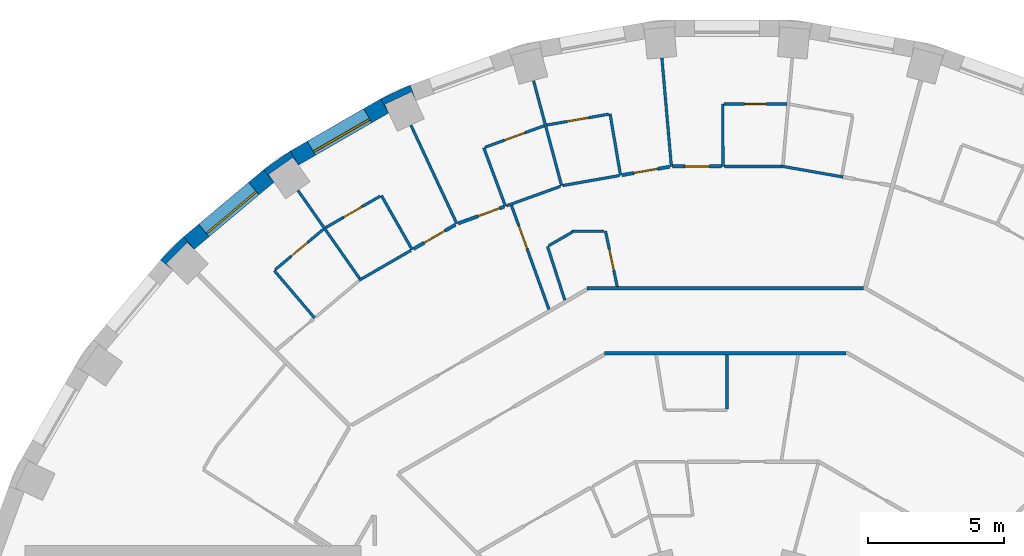
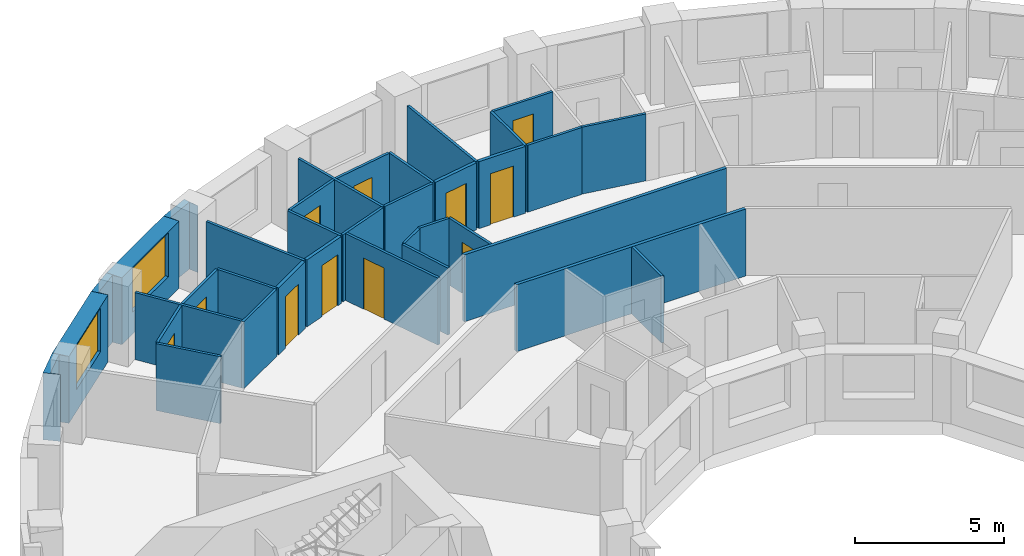
# One storey, part 12 of 17: 36 walls, 11 doors, 2 windows, 13 openings.
"""IFC4 building model written with IfcOpenShell, lengths in metres."""

from ifc_helpers import new_model, si_unit, direction, frame, frame_2d, origin, place, context, subcontext, project, spatial, polyline, rectangle, outline, extrude, material, layer, layer_set, type_object, element, fill, save


model = new_model("IFC4")

# Units and contexts
model_context = context("Model", 3, precision=1e-05, world=origin(), true_north=direction((0.0, 1.0)))
body_context = subcontext(model_context, "Body", "Model", "MODEL_VIEW")
ifc_project = project(units=[si_unit("LENGTHUNIT", "METRE"), si_unit("AREAUNIT", "SQUARE_METRE"), si_unit("VOLUMEUNIT", "CUBIC_METRE"), si_unit("PLANEANGLEUNIT", "RADIAN"), si_unit("MASSUNIT", "GRAM", prefix="KILO")], contexts=[model_context])

# Site, building, storey
site_placement = place(None, origin())
site = spatial("IfcSite", under=ifc_project, at=site_placement, CompositionType="ELEMENT")
building_placement = place(site_placement, origin())
building = spatial("IfcBuilding", under=site, at=building_placement, Name="Saqina Gate Tower", CompositionType="ELEMENT")
storey_placement = place(building_placement, frame((0.0, 0.0, 29.60009765625)))
storey = spatial("IfcBuildingStorey", under=building, at=storey_placement, Name="L07", CompositionType="ELEMENT", Elevation=29.60009765625)

# Walls
ifc_material_1 = material(Name="Brick masonry (red)", Category="masonry")
wall_type_1 = type_object("IfcWallType", Name="BRICK PIER COPING RED", PredefinedType="SOLIDWALL", material=ifc_material_1)
wall_1_placement = place(storey_placement, origin())
element("IfcWall", 1, at=wall_1_placement, inside=storey, type_object=wall_type_1, Name="Pier cap L07 column 12", PredefinedType="SOLIDWALL", context=body_context, shape_type="SweptSolid", body=[
    extrude(outline(polyline([(-12.779541015625, 25.980712890625), (-12.4794921875, 25.4609375), (-12.627685546875, 25.778564453125), (-11.630615234375, 26.243408203125), (-11.482666015625, 25.92578125), (-11.687744140625, 26.48974609375), (-12.779541015625, 25.980712890625)])), origin(), (0.0, 0.0, 1.0), 2.75),
])
wall_2_placement = place(storey_placement, origin())
element("IfcWall", 2, at=wall_2_placement, inside=storey, type_object=wall_type_1, Name="Pier cap L07 column 13", PredefinedType="SOLIDWALL", context=body_context, shape_type="SweptSolid", body=[
    extrude(outline(polyline([(-16.110107421875, 24.0576171875), (-17.096923828125, 23.36669921875), (-16.711181640625, 22.9072265625), (-16.912109375, 23.194091796875), (-16.010986328125, 23.8251953125), (-15.81005859375, 23.5380859375), (-16.110107421875, 24.0576171875)])), origin(), (0.0, 0.0, 1.0), 2.75),
])
wall_3_placement = place(storey_placement, origin())
element("IfcWall", 3, at=wall_3_placement, inside=storey, type_object=wall_type_1, Name="Pier cap L07 column 14", PredefinedType="SOLIDWALL", context=body_context, shape_type="SweptSolid", body=[
    extrude(outline(polyline([(-20.894775390625, 20.04296875), (-20.43505859375, 19.6572265625), (-20.682861328125, 19.905029296875), (-19.905029296875, 20.682861328125), (-19.6572265625, 20.43505859375), (-20.04296875, 20.894775390625), (-20.894775390625, 20.04296875)])), origin(), (0.0, 0.0, 1.0), 2.75),
])

# Wall, opening, window
ifc_material_2 = material(Name="Brick masonry (red)", Category="masonry")
ifc_layer_1 = layer(ifc_material_2, 0.60009765625)
ifc_layer_set_1 = layer_set([ifc_layer_1], Name="FW-BRICK-RED")
wall_type_2 = type_object("IfcWallType", Name="FW-BRICK-RED", PredefinedType="SOLIDWALL", material=ifc_layer_set_1)
wall_4_placement = place(storey_placement, frame((-12.629638671875, 25.720703125, 0.0), z_axis=(0.0, 0.0, 1.0), x_axis=(-0.86603124159, -0.499989888488, 0.0)))
wall_4 = element("IfcWall", 4, at=wall_4_placement, inside=storey, type_object=wall_type_2, Name="Facade wall L07 facet 12", PredefinedType="SOLIDWALL", context=body_context, shape_type="SweptSolid", body=[
    extrude(rectangle(XDim=3.845703125, YDim=0.60009765625, at=frame_2d((1.9228515625, 0.0))), origin(), (0.0, 0.0, 1.0), 2.75),
])
opening_1_placement = place(wall_4_placement, frame((0.722900390625, 0.0, 0.89990234375)))
opening_1 = element("IfcOpeningElement", 5, at=opening_1_placement, cuts=wall_4, Name="Opening G01-W10", PredefinedType="OPENING", context=body_context, shape_type="SweptSolid", body=[
    extrude(rectangle(XDim=2.39990234375, YDim=1.800048828125, at=frame_2d((1.199951171875, 0.89990234375))), frame((0.0, 0.31201171875, 0.0), z_axis=(0.0, -1.0, 0.0), x_axis=(1.0, 0.0, 0.0)), (0.0, 0.0, 1.0), 0.6240234375),
])
ifc_material_3 = material(Name="Aluminium glazing", Category="aluminium")
window_type = type_object("IfcWindowType", Name="WN-A", PartitioningType="SINGLE_PANEL", PredefinedType="WINDOW", material=ifc_material_3)
window_1_placement = place(opening_1_placement, origin())
window_1 = element("IfcWindow", 6, at=window_1_placement, inside=storey, type_object=window_type, Name="Window L07 facet 12", OverallHeight=1.800048828125, OverallWidth=2.39990234375, PartitioningType="SINGLE_PANEL", PredefinedType="WINDOW", context=body_context, shape_type="SweptSolid", body=[
    extrude(rectangle(XDim=2.39990234375, YDim=1.800048828125, at=frame_2d((1.199951171875, 0.89990234375))), frame((0.0, 0.179931640625, 0.0), z_axis=(0.0, -1.0, 0.0), x_axis=(1.0, 0.0, 0.0)), (0.0, 0.0, 1.0), 0.06005859375),
])
fill(opening_1, window_1)

wall_5_placement = place(storey_placement, frame((-16.904052734375, 23.136962890625, 0.0), z_axis=(0.0, 0.0, 1.0), x_axis=(-0.766026164483, -0.642809392687, 0.0)))
wall_5 = element("IfcWall", 7, at=wall_5_placement, inside=storey, type_object=wall_type_2, Name="Facade wall L07 facet 13", PredefinedType="SOLIDWALL", context=body_context, shape_type="SweptSolid", body=[
    extrude(rectangle(XDim=3.845947265625, YDim=0.60009765625, at=frame_2d((1.9228515625, 0.0))), origin(), (0.0, 0.0, 1.0), 2.75),
])
opening_2_placement = place(wall_5_placement, frame((0.722900390625, 0.0, 0.89990234375)))
opening_2 = element("IfcOpeningElement", 8, at=opening_2_placement, cuts=wall_5, Name="Opening G01-W11", PredefinedType="OPENING", context=body_context, shape_type="SweptSolid", body=[
    extrude(rectangle(XDim=2.39990234375, YDim=1.800048828125, at=frame_2d((1.199951171875, 0.89990234375))), frame((0.0, 0.31201171875, 0.0), z_axis=(0.0, -1.0, 0.0), x_axis=(1.0, 0.0, 0.0)), (0.0, 0.0, 1.0), 0.6240234375),
])
window_2_placement = place(opening_2_placement, origin())
window_2 = element("IfcWindow", 9, at=window_2_placement, inside=storey, type_object=window_type, Name="Window L07 facet 13", OverallHeight=1.800048828125, OverallWidth=2.39990234375, PartitioningType="SINGLE_PANEL", PredefinedType="WINDOW", context=body_context, shape_type="SweptSolid", body=[
    extrude(rectangle(XDim=2.39990234375, YDim=1.800048828125, at=frame_2d((1.199951171875, 0.89990234375))), frame((0.0, 0.179931640625, 0.0), z_axis=(0.0, -1.0, 0.0), x_axis=(1.0, 0.0, 0.0)), (0.0, 0.0, 1.0), 0.06005859375),
])
fill(opening_2, window_2)

# Walls
ifc_material_4 = material(Name="Gypsum board on steel studs, 100 mm", Category="steel")
ifc_layer_2 = layer(ifc_material_4, 0.10009765625)
ifc_layer_set_2 = layer_set([ifc_layer_2], Name="PARTITION 100")
wall_type_3 = type_object("IfcWallType", Name="PARTITION 100", PredefinedType="PARTITIONING", material=ifc_layer_set_2)
wall_6_placement = place(storey_placement, frame((-0.1650390625, 25.7900390625, 0.0), z_axis=(0.0, 0.0, 1.0), x_axis=(0.006580899844, -0.999978345644, 0.0)))
element("IfcWall", 10, at=wall_6_placement, inside=storey, type_object=wall_type_3, Name="PARTITION PW3-01", PredefinedType="PARTITIONING", context=body_context, shape_type="SweptSolid", body=[
    extrude(rectangle(XDim=2.300048828125, YDim=0.10009765625, at=frame_2d((1.14990234375, 0.0))), origin(), (0.0, 0.0, 1.0), 2.75),
])
wall_7_placement = place(storey_placement, frame((-2.404541015625, 27.485107421875, 0.0), z_axis=(0.0, 0.0, 1.0), x_axis=(0.087176012461, -0.996192924514, 0.0)))
element("IfcWall", 11, at=wall_7_placement, inside=storey, type_object=wall_type_3, Name="PARTITION PW3-03", PredefinedType="PARTITIONING", context=body_context, shape_type="SweptSolid", body=[
    extrude(rectangle(XDim=4.010498046875, YDim=0.10009765625, at=frame_2d((2.00537109375, 0.0))), origin(), (0.0, 0.0, 1.0), 2.75),
])
wall_8_placement = place(storey_placement, frame((-4.31591796875, 25.426025390625, 0.0), z_axis=(0.0, 0.0, 1.0), x_axis=(0.167445855502, -0.985881273519, 0.0)))
element("IfcWall", 12, at=wall_8_placement, inside=storey, type_object=wall_type_3, Name="PARTITION PW3-09", PredefinedType="PARTITIONING", context=body_context, shape_type="SweptSolid", body=[
    extrude(rectangle(XDim=2.29931640625, YDim=0.10009765625, at=frame_2d((1.149658203125, 0.0))), origin(), (0.0, 0.0, 1.0), 2.75),
])

# Wall, opening, door
wall_9_placement = place(storey_placement, frame((-4.485107421875, 21.10009765625, 0.0), z_axis=(0.0, 0.0, 1.0), x_axis=(0.207769107872, -0.978177896813, 0.0)))
wall_9 = element("IfcWall", 13, at=wall_9_placement, inside=storey, type_object=wall_type_3, Name="PARTITION PW3-11", PredefinedType="PARTITIONING", context=body_context, shape_type="SweptSolid", body=[
    extrude(rectangle(XDim=2.08447265625, YDim=0.10009765625, at=frame_2d((1.042236328125, 0.0))), origin(), (0.0, 0.0, 1.0), 2.75),
])
opening_3_placement = place(wall_9_placement, frame((0.67333984375, 0.0, 0.0)))
opening_3 = element("IfcOpeningElement", 14, at=opening_3_placement, cuts=wall_9, Name="Opening G01-D25", PredefinedType="OPENING", context=body_context, shape_type="SweptSolid", body=[
    extrude(rectangle(XDim=0.800048828125, YDim=2.10009765625, at=frame_2d((0.39990234375, 1.050048828125))), frame((0.0, 0.06201171875, 0.0), z_axis=(0.0, -1.0, 0.0), x_axis=(1.0, 0.0, 0.0)), (0.0, 0.0, 1.0), 0.1240234375),
])
ifc_material_5 = material(Name="Timber door leaf, 800 mm", Category="wood")
door_type_1 = type_object("IfcDoorType", Name="DOOR 800 TIMBER", OperationType="SINGLE_SWING_LEFT", PredefinedType="DOOR", material=ifc_material_5)
door_1_placement = place(opening_3_placement, origin())
door_1 = element("IfcDoor", 15, at=door_1_placement, inside=storey, type_object=door_type_1, Name="DOOR G01-D25", OperationType="SINGLE_SWING_RIGHT", OverallHeight=2.10009765625, OverallWidth=0.800048828125, PredefinedType="DOOR", context=body_context, shape_type="SweptSolid", body=[
    extrude(rectangle(XDim=0.800048828125, YDim=2.10009765625, at=frame_2d((0.39990234375, 1.050048828125))), frame((0.0, 0.02490234375, 0.0), z_axis=(0.0, -1.0, 0.0), x_axis=(1.0, 0.0, 0.0)), (0.0, 0.0, 1.0), 0.050048828125),
])
fill(opening_3, door_1)

# Walls
wall_10_placement = place(storey_placement, frame((-7.13818359375, 26.650634765625, 0.0), z_axis=(0.0, 0.0, 1.0), x_axis=(0.258102122941, -0.966117639904, 0.0)))
element("IfcWall", 16, at=wall_10_placement, inside=storey, type_object=wall_type_3, Name="PARTITION PW3-12", PredefinedType="PARTITIONING", context=body_context, shape_type="SweptSolid", body=[
    extrude(rectangle(XDim=4.0107421875, YDim=0.10009765625, at=frame_2d((2.00537109375, 0.0))), origin(), (0.0, 0.0, 1.0), 2.75),
])
wall_11_placement = place(storey_placement, frame((-6.6240234375, 20.5400390625, 0.0), z_axis=(0.0, 0.0, 1.0), x_axis=(0.306694945769, -0.951807864141, 0.0)))
element("IfcWall", 17, at=wall_11_placement, inside=storey, type_object=wall_type_3, Name="PARTITION PW3-15", PredefinedType="PARTITIONING", context=body_context, shape_type="SweptSolid", body=[
    extrude(rectangle(XDim=2.085693359375, YDim=0.10009765625, at=frame_2d((1.04296875, 0.0))), origin(), (0.0, 0.0, 1.0), 2.75),
])

# Wall, opening, door
wall_12_placement = place(storey_placement, frame((-7.953125, 22.049072265625, 0.0), z_axis=(0.0, 0.0, 1.0), x_axis=(0.339432395801, -0.940630452771, 0.0)))
wall_12 = element("IfcWall", 18, at=wall_12_placement, inside=storey, type_object=wall_type_3, Name="PARTITION PW3-16", PredefinedType="PARTITIONING", context=body_context, shape_type="SweptSolid", body=[
    extrude(rectangle(XDim=4.073974609375, YDim=0.10009765625, at=frame_2d((2.037109375, 0.0))), origin(), (0.0, 0.0, 1.0), 2.75),
])
opening_4_placement = place(wall_12_placement, frame((0.793212890625, 0.0, 0.0)))
opening_4 = element("IfcOpeningElement", 19, at=opening_4_placement, cuts=wall_12, Name="Opening G01-D28", PredefinedType="OPENING", context=body_context, shape_type="SweptSolid", body=[
    extrude(rectangle(XDim=0.89990234375, YDim=2.10009765625, at=frame_2d((0.449951171875, 1.050048828125))), frame((0.0, 0.06201171875, 0.0), z_axis=(0.0, -1.0, 0.0), x_axis=(1.0, 0.0, 0.0)), (0.0, 0.0, 1.0), 0.1240234375),
])
ifc_material_6 = material(Name="Timber door leaf, 900 mm", Category="wood")
door_type_2 = type_object("IfcDoorType", Name="DOOR 900 TIMBER", OperationType="SINGLE_SWING_LEFT", PredefinedType="DOOR", material=ifc_material_6)
door_2_placement = place(opening_4_placement, origin())
door_2 = element("IfcDoor", 20, at=door_2_placement, inside=storey, type_object=door_type_2, Name="DOOR G01-D28", OperationType="SINGLE_SWING_RIGHT", OverallHeight=2.10009765625, OverallWidth=0.89990234375, PredefinedType="DOOR", context=body_context, shape_type="SweptSolid", body=[
    extrude(rectangle(XDim=0.89990234375, YDim=2.10009765625, at=frame_2d((0.449951171875, 1.050048828125))), frame((0.0, 0.02490234375, 0.0), z_axis=(0.0, -1.0, 0.0), x_axis=(1.0, 0.0, 0.0)), (0.0, 0.0, 1.0), 0.050048828125),
])
fill(opening_4, door_2)

# Walls
wall_13_placement = place(storey_placement, frame((-8.97509765625, 24.177978515625, 0.0), z_axis=(0.0, 0.0, 1.0), x_axis=(0.347898637283, -0.937532153143, 0.0)))
element("IfcWall", 21, at=wall_13_placement, inside=storey, type_object=wall_type_3, Name="PARTITION PW3-17", PredefinedType="PARTITIONING", context=body_context, shape_type="SweptSolid", body=[
    extrude(rectangle(XDim=2.299560546875, YDim=0.10009765625, at=frame_2d((1.14990234375, 0.0))), origin(), (0.0, 0.0, 1.0), 2.75),
])
wall_14_placement = place(storey_placement, frame((-11.659912109375, 25.005126953125, 0.0), z_axis=(0.0, 0.0, 1.0), x_axis=(0.422575525044, -0.906327714259, 0.0)))
element("IfcWall", 22, at=wall_14_placement, inside=storey, type_object=wall_type_3, Name="PARTITION PW3-21", PredefinedType="PARTITIONING", context=body_context, shape_type="SweptSolid", body=[
    extrude(rectangle(XDim=4.0107421875, YDim=0.10009765625, at=frame_2d((2.00537109375, 0.0))), origin(), (0.0, 0.0, 1.0), 2.75),
])
wall_15_placement = place(storey_placement, frame((-12.751953125, 22.4169921875, 0.0), z_axis=(0.0, 0.0, 1.0), x_axis=(0.494388735629, -0.869240920621, 0.0)))
element("IfcWall", 23, at=wall_15_placement, inside=storey, type_object=wall_type_3, Name="PARTITION PW3-22", PredefinedType="PARTITIONING", context=body_context, shape_type="SweptSolid", body=[
    extrude(rectangle(XDim=2.2998046875, YDim=0.10009765625, at=frame_2d((1.14990234375, 0.0))), origin(), (0.0, 0.0, 1.0), 2.75),
])
wall_16_placement = place(storey_placement, frame((-15.824951171875, 22.600341796875, 0.0), z_axis=(0.0, 0.0, 1.0), x_axis=(0.573420971208, -0.819260880171, 0.0)))
element("IfcWall", 24, at=wall_16_placement, inside=storey, type_object=wall_type_3, Name="PARTITION PW3-26", PredefinedType="PARTITIONING", context=body_context, shape_type="SweptSolid", body=[
    extrude(rectangle(XDim=3.96044921875, YDim=0.10009765625, at=frame_2d((1.980224609375, 0.0))), origin(), (0.0, 0.0, 1.0), 2.75),
])
wall_17_placement = place(storey_placement, frame((-16.7041015625, 19.64990234375, 0.0), z_axis=(0.0, 0.0, 1.0), x_axis=(0.647857930374, -0.761761184395, 0.0)))
element("IfcWall", 25, at=wall_17_placement, inside=storey, type_object=wall_type_3, Name="PARTITION PW3-31", PredefinedType="PARTITIONING", context=body_context, shape_type="SweptSolid", body=[
    extrude(rectangle(XDim=2.2998046875, YDim=0.10009765625, at=frame_2d((1.14990234375, 0.0))), origin(), (0.0, 0.0, 1.0), 2.75),
])
wall_18_placement = place(storey_placement, frame((2.0048828125, 23.498779296875, 0.0), z_axis=(0.0, 0.0, 1.0), x_axis=(0.984814448646, -0.173610200557, 0.0)))
element("IfcWall", 26, at=wall_18_placement, inside=storey, type_object=wall_type_3, Name="PARTITION PW3-53", PredefinedType="PARTITIONING", context=body_context, shape_type="SweptSolid", body=[
    extrude(rectangle(XDim=2.30615234375, YDim=0.10009765625, at=frame_2d((1.153076171875, 0.0))), origin(), (0.0, 0.0, 1.0), 2.75),
])
wall_19_placement = place(storey_placement, frame((-5.711669921875, 21.10009765625, 0.0), z_axis=(0.0, 0.0, 1.0), x_axis=(1.0, 0.0, 0.0)))
element("IfcWall", 27, at=wall_19_placement, inside=storey, type_object=wall_type_3, Name="PARTITION PW3-64", PredefinedType="PARTITIONING", context=body_context, shape_type="SweptSolid", body=[
    extrude(rectangle(XDim=1.1767578125, YDim=0.10009765625, at=frame_2d((0.58837890625, 0.0))), origin(), (0.0, 0.0, 1.0), 2.75),
])
wall_20_placement = place(storey_placement, frame((-0.10009765625, 23.489990234375, 0.0), z_axis=(0.0, 0.0, 1.0), x_axis=(1.0, 0.0, 0.0)))
element("IfcWall", 28, at=wall_20_placement, inside=storey, type_object=wall_type_3, Name="PARTITION PW3-65", PredefinedType="PARTITIONING", context=body_context, shape_type="SweptSolid", body=[
    extrude(rectangle(XDim=2.10498046875, YDim=0.10009765625, at=frame_2d((1.052490234375, 0.0))), origin(), (0.0, 0.0, 1.0), 2.75),
])

# Wall, opening, door
wall_21_placement = place(storey_placement, frame((-0.114990234375, 25.7900390625, 0.0), z_axis=(0.0, 0.0, 1.0), x_axis=(1.0, 0.0, 0.0)))
wall_21 = element("IfcWall", 29, at=wall_21_placement, inside=storey, type_object=wall_type_3, Name="PARTITION PW3-66", PredefinedType="PARTITIONING", context=body_context, shape_type="SweptSolid", body=[
    extrude(rectangle(XDim=2.321044921875, YDim=0.10009765625, at=frame_2d((1.16064453125, 0.0))), origin(), (0.0, 0.0, 1.0), 2.75),
])
opening_5_placement = place(wall_21_placement, frame((0.760498046875, 0.0, 0.0)))
opening_5 = element("IfcOpeningElement", 30, at=opening_5_placement, cuts=wall_21, Name="Opening G01-D20", PredefinedType="OPENING", context=body_context, shape_type="SweptSolid", body=[
    extrude(rectangle(XDim=0.800048828125, YDim=2.10009765625, at=frame_2d((0.39990234375, 1.050048828125))), frame((0.0, 0.06201171875, 0.0), z_axis=(0.0, -1.0, 0.0), x_axis=(1.0, 0.0, 0.0)), (0.0, 0.0, 1.0), 0.1240234375),
])
door_3_placement = place(opening_5_placement, origin())
door_3 = element("IfcDoor", 31, at=door_3_placement, inside=storey, type_object=door_type_1, Name="DOOR G01-D20", OperationType="SINGLE_SWING_LEFT", OverallHeight=2.10009765625, OverallWidth=0.800048828125, PredefinedType="DOOR", context=body_context, shape_type="SweptSolid", body=[
    extrude(rectangle(XDim=0.800048828125, YDim=2.10009765625, at=frame_2d((0.39990234375, 1.050048828125))), frame((0.0, 0.02490234375, 0.0), z_axis=(0.0, -1.0, 0.0), x_axis=(1.0, 0.0, 0.0)), (0.0, 0.0, 1.0), 0.050048828125),
])
fill(opening_5, door_3)

# Wall
wall_22_placement = place(storey_placement, frame((-6.0537109375, 22.78466796875, 0.0), z_axis=(0.0, 0.0, 1.0), x_axis=(0.984798730273, 0.173699340392, 0.0)))
element("IfcWall", 32, at=wall_22_placement, inside=storey, type_object=wall_type_3, Name="PARTITION PW3-69", PredefinedType="PARTITIONING", context=body_context, shape_type="SweptSolid", body=[
    extrude(rectangle(XDim=2.10546875, YDim=0.10009765625, at=frame_2d((1.052734375, 0.0))), origin(), (0.0, 0.0, 1.0), 2.75),
])

# Wall, opening, door
wall_23_placement = place(storey_placement, frame((-6.65087890625, 25.0146484375, 0.0), z_axis=(0.0, 0.0, 1.0), x_axis=(0.98483963522, 0.173467267515, 0.0)))
wall_23 = element("IfcWall", 33, at=wall_23_placement, inside=storey, type_object=wall_type_3, Name="PARTITION PW3-70", PredefinedType="PARTITIONING", context=body_context, shape_type="SweptSolid", body=[
    extrude(rectangle(XDim=2.32080078125, YDim=0.10009765625, at=frame_2d((1.160400390625, 0.0))), origin(), (0.0, 0.0, 1.0), 2.75),
])
opening_6_placement = place(wall_23_placement, frame((0.760498046875, 0.0, 0.0)))
opening_6 = element("IfcOpeningElement", 34, at=opening_6_placement, cuts=wall_23, Name="Opening G01-D26", PredefinedType="OPENING", context=body_context, shape_type="SweptSolid", body=[
    extrude(rectangle(XDim=0.800048828125, YDim=2.10009765625, at=frame_2d((0.39990234375, 1.050048828125))), frame((0.0, 0.06201171875, 0.0), z_axis=(0.0, -1.0, 0.0), x_axis=(1.0, 0.0, 0.0)), (0.0, 0.0, 1.0), 0.1240234375),
])
door_4_placement = place(opening_6_placement, origin())
door_4 = element("IfcDoor", 35, at=door_4_placement, inside=storey, type_object=door_type_1, Name="DOOR G01-D26", OperationType="SINGLE_SWING_RIGHT", OverallHeight=2.10009765625, OverallWidth=0.800048828125, PredefinedType="DOOR", context=body_context, shape_type="SweptSolid", body=[
    extrude(rectangle(XDim=0.800048828125, YDim=2.10009765625, at=frame_2d((0.39990234375, 1.050048828125))), frame((0.0, 0.02490234375, 0.0), z_axis=(0.0, -1.0, 0.0), x_axis=(1.0, 0.0, 0.0)), (0.0, 0.0, 1.0), 0.050048828125),
])
fill(opening_6, door_4)

# Wall
wall_24_placement = place(storey_placement, frame((-8.1279296875, 22.0390625, 0.0), z_axis=(0.0, 0.0, 1.0), x_axis=(0.940600209608, 0.339516193553, 0.0)))
element("IfcWall", 36, at=wall_24_placement, inside=storey, type_object=wall_type_3, Name="PARTITION PW3-71", PredefinedType="PARTITIONING", context=body_context, shape_type="SweptSolid", body=[
    extrude(rectangle(XDim=2.104736328125, YDim=0.10009765625, at=frame_2d((1.05224609375, 0.0))), origin(), (0.0, 0.0, 1.0), 2.75),
])

# Wall, opening, door
wall_25_placement = place(storey_placement, frame((-8.927978515625, 24.195068359375, 0.0), z_axis=(0.0, 0.0, 1.0), x_axis=(0.939670512052, 0.342080880465, 0.0)))
wall_25 = element("IfcWall", 37, at=wall_25_placement, inside=storey, type_object=wall_type_3, Name="PARTITION PW3-73", PredefinedType="PARTITIONING", context=body_context, shape_type="SweptSolid", body=[
    extrude(rectangle(XDim=2.321044921875, YDim=0.10009765625, at=frame_2d((1.16064453125, 0.0))), origin(), (0.0, 0.0, 1.0), 2.75),
])
opening_7_placement = place(wall_25_placement, frame((0.760498046875, 0.0, 0.0)))
opening_7 = element("IfcOpeningElement", 38, at=opening_7_placement, cuts=wall_25, Name="Opening G01-D27", PredefinedType="OPENING", context=body_context, shape_type="SweptSolid", body=[
    extrude(rectangle(XDim=0.800048828125, YDim=2.10009765625, at=frame_2d((0.39990234375, 1.050048828125))), frame((0.0, 0.06201171875, 0.0), z_axis=(0.0, -1.0, 0.0), x_axis=(1.0, 0.0, 0.0)), (0.0, 0.0, 1.0), 0.1240234375),
])
door_5_placement = place(opening_7_placement, origin())
door_5 = element("IfcDoor", 39, at=door_5_placement, inside=storey, type_object=door_type_1, Name="DOOR G01-D27", OperationType="SINGLE_SWING_RIGHT", OverallHeight=2.10009765625, OverallWidth=0.800048828125, PredefinedType="DOOR", context=body_context, shape_type="SweptSolid", body=[
    extrude(rectangle(XDim=0.800048828125, YDim=2.10009765625, at=frame_2d((0.39990234375, 1.050048828125))), frame((0.0, 0.02490234375, 0.0), z_axis=(0.0, -1.0, 0.0), x_axis=(1.0, 0.0, 0.0)), (0.0, 0.0, 1.0), 0.050048828125),
])
fill(opening_7, door_5)

# Walls
wall_26_placement = place(storey_placement, frame((-6.580810546875, 20.56494140625, 0.0), z_axis=(0.0, 0.0, 1.0), x_axis=(0.866070023821, 0.499922707865, 0.0)))
element("IfcWall", 40, at=wall_26_placement, inside=storey, type_object=wall_type_3, Name="PARTITION PW3-80", PredefinedType="PARTITIONING", context=body_context, shape_type="SweptSolid", body=[
    extrude(rectangle(XDim=1.020263671875, YDim=0.10009765625, at=frame_2d((0.51025390625, 0.0))), origin(), (0.0, 0.0, 1.0), 2.75),
])
wall_27_placement = place(storey_placement, frame((-13.56884765625, 19.28955078125, 0.0), z_axis=(0.0, 0.0, 1.0), x_axis=(0.865946011253, 0.500137486693, 0.0)))
element("IfcWall", 41, at=wall_27_placement, inside=storey, type_object=wall_type_3, Name="PARTITION PW3-81", PredefinedType="PARTITIONING", context=body_context, shape_type="SweptSolid", body=[
    extrude(rectangle(XDim=2.20654296875, YDim=0.10009765625, at=frame_2d((1.103271484375, 0.0))), origin(), (0.0, 0.0, 1.0), 2.75),
])

# Wall, opening, door
wall_28_placement = place(storey_placement, frame((-14.8056640625, 21.23095703125, 0.0), z_axis=(0.0, 0.0, 1.0), x_axis=(0.865929854881, 0.500165459049, 0.0)))
wall_28 = element("IfcWall", 42, at=wall_28_placement, inside=storey, type_object=wall_type_3, Name="PARTITION PW3-82", PredefinedType="PARTITIONING", context=body_context, shape_type="SweptSolid", body=[
    extrude(rectangle(XDim=2.321533203125, YDim=0.10009765625, at=frame_2d((1.16064453125, 0.0))), origin(), (0.0, 0.0, 1.0), 2.75),
])
opening_8_placement = place(wall_28_placement, frame((0.7607421875, 0.0, 0.0)))
opening_8 = element("IfcOpeningElement", 43, at=opening_8_placement, cuts=wall_28, Name="Opening G01-D33", PredefinedType="OPENING", context=body_context, shape_type="SweptSolid", body=[
    extrude(rectangle(XDim=0.800048828125, YDim=2.10009765625, at=frame_2d((0.39990234375, 1.050048828125))), frame((0.0, 0.06201171875, 0.0), z_axis=(0.0, -1.0, 0.0), x_axis=(1.0, 0.0, 0.0)), (0.0, 0.0, 1.0), 0.1240234375),
])
door_6_placement = place(opening_8_placement, origin())
door_6 = element("IfcDoor", 44, at=door_6_placement, inside=storey, type_object=door_type_1, Name="DOOR G01-D33", OperationType="SINGLE_SWING_RIGHT", OverallHeight=2.10009765625, OverallWidth=0.800048828125, PredefinedType="DOOR", context=body_context, shape_type="SweptSolid", body=[
    extrude(rectangle(XDim=0.800048828125, YDim=2.10009765625, at=frame_2d((0.39990234375, 1.050048828125))), frame((0.0, 0.02490234375, 0.0), z_axis=(0.0, -1.0, 0.0), x_axis=(1.0, 0.0, 0.0)), (0.0, 0.0, 1.0), 0.050048828125),
])
fill(opening_8, door_6)

wall_29_placement = place(storey_placement, frame((-16.665771484375, 19.68212890625, 0.0), z_axis=(0.0, 0.0, 1.0), x_axis=(0.766191543126, 0.642612261976, 0.0)))
wall_29 = element("IfcWall", 45, at=wall_29_placement, inside=storey, type_object=wall_type_3, Name="PARTITION PW3-88", PredefinedType="PARTITIONING", context=body_context, shape_type="SweptSolid", body=[
    extrude(rectangle(XDim=2.3212890625, YDim=0.10009765625, at=frame_2d((1.16064453125, 0.0))), origin(), (0.0, 0.0, 1.0), 2.75),
])
opening_9_placement = place(wall_29_placement, frame((0.760498046875, 0.0, 0.0)))
opening_9 = element("IfcOpeningElement", 46, at=opening_9_placement, cuts=wall_29, Name="Opening G01-D36", PredefinedType="OPENING", context=body_context, shape_type="SweptSolid", body=[
    extrude(rectangle(XDim=0.800048828125, YDim=2.10009765625, at=frame_2d((0.39990234375, 1.050048828125))), frame((0.0, 0.06201171875, 0.0), z_axis=(0.0, -1.0, 0.0), x_axis=(1.0, 0.0, 0.0)), (0.0, 0.0, 1.0), 0.1240234375),
])
door_7_placement = place(opening_9_placement, origin())
door_7 = element("IfcDoor", 47, at=door_7_placement, inside=storey, type_object=door_type_1, Name="DOOR G01-D36", OperationType="SINGLE_SWING_RIGHT", OverallHeight=2.10009765625, OverallWidth=0.800048828125, PredefinedType="DOOR", context=body_context, shape_type="SweptSolid", body=[
    extrude(rectangle(XDim=0.800048828125, YDim=2.10009765625, at=frame_2d((0.39990234375, 1.050048828125))), frame((0.0, 0.02490234375, 0.0), z_axis=(0.0, -1.0, 0.0), x_axis=(1.0, 0.0, 0.0)), (0.0, 0.0, 1.0), 0.050048828125),
])
fill(opening_9, door_7)

# Walls
wall_30_placement = place(storey_placement, frame((0.0, 14.550048828125, 0.0), z_axis=(0.0, 0.0, 1.0), x_axis=(0.0, 1.0, 0.0)))
element("IfcWall", 48, at=wall_30_placement, inside=storey, type_object=wall_type_3, Name="PARTITION PW3-121", PredefinedType="PARTITIONING", context=body_context, shape_type="SweptSolid", body=[
    extrude(rectangle(XDim=1.987548828125, YDim=0.10009765625, at=frame_2d((0.99365234375, 0.0))), origin(), (0.0, 0.0, 1.0), 2.75),
])
ifc_material_7 = material(Name="Gypsum board on steel studs, 125 mm, fire rated", Category="steel")
ifc_layer_3 = layer(ifc_material_7, 0.125)
ifc_layer_set_3 = layer_set([ifc_layer_3], Name="PARTITION EI 30 125")
wall_type_4 = type_object("IfcWallType", Name="PARTITION EI 30 125", PredefinedType="PARTITIONING", material=ifc_layer_set_3)
wall_31_placement = place(storey_placement, frame((-4.520263671875, 16.60009765625, 0.0), z_axis=(0.0, 0.0, 1.0), x_axis=(1.0, 0.0, 0.0)))
element("IfcWall", 49, at=wall_31_placement, inside=storey, type_object=wall_type_4, Name="PARTITION PW1-30", PredefinedType="PARTITIONING", context=body_context, shape_type="SweptSolid", body=[
    extrude(rectangle(XDim=8.90576171875, YDim=0.125, at=frame_2d((4.452880859375, 0.0))), origin(), (0.0, 0.0, 1.0), 2.75),
])
wall_32_placement = place(storey_placement, frame((-5.1630859375, 19.0, 0.0), z_axis=(0.0, 0.0, 1.0), x_axis=(1.0, 0.0, 0.0)))
element("IfcWall", 50, at=wall_32_placement, inside=storey, type_object=wall_type_4, Name="PARTITION PW1-31", PredefinedType="PARTITIONING", context=body_context, shape_type="SweptSolid", body=[
    extrude(rectangle(XDim=10.191650390625, YDim=0.125, at=frame_2d((5.095703125, 0.0))), origin(), (0.0, 0.0, 1.0), 2.75),
])

# Wall, opening, door
wall_33_placement = place(storey_placement, frame((-2.0048828125, 23.489990234375, 0.0), z_axis=(0.0, 0.0, 1.0), x_axis=(1.0, 0.0, 0.0)))
wall_33 = element("IfcWall", 51, at=wall_33_placement, inside=storey, type_object=wall_type_4, Name="PARTITION PW1-32", PredefinedType="PARTITIONING", context=body_context, shape_type="SweptSolid", body=[
    extrude(rectangle(XDim=1.804931640625, YDim=0.125, at=frame_2d((0.90234375, 0.0))), origin(), (0.0, 0.0, 1.0), 2.75),
])
opening_10_placement = place(wall_33_placement, frame((0.452392578125, 0.0, 0.0)))
opening_10 = element("IfcOpeningElement", 52, at=opening_10_placement, cuts=wall_33, Name="Opening G01-D21", PredefinedType="OPENING", context=body_context, shape_type="SweptSolid", body=[
    extrude(rectangle(XDim=0.89990234375, YDim=2.10009765625, at=frame_2d((0.449951171875, 1.050048828125))), frame((0.0, 0.074462890625, 0.0), z_axis=(0.0, -1.0, 0.0), x_axis=(1.0, 0.0, 0.0)), (0.0, 0.0, 1.0), 0.14892578125),
])
ifc_material_8 = material(Name="Fire door leaf EI 30, 900 mm")
door_type_3 = type_object("IfcDoorType", Name="DOOR 900 EI 30", OperationType="SINGLE_SWING_LEFT", PredefinedType="DOOR", material=ifc_material_8)
door_8_placement = place(opening_10_placement, frame((0.89990234375, 0.0, 0.0), z_axis=(0.0, 0.0, 1.0), x_axis=(-1.0, 0.0, 0.0)))
door_8 = element("IfcDoor", 53, at=door_8_placement, inside=storey, type_object=door_type_3, Name="DOOR G01-D21", OperationType="SINGLE_SWING_RIGHT", OverallHeight=2.10009765625, OverallWidth=0.89990234375, PredefinedType="DOOR", context=body_context, shape_type="SweptSolid", body=[
    extrude(rectangle(XDim=0.89990234375, YDim=2.10009765625, at=frame_2d((0.449951171875, 1.050048828125))), frame((0.0, 0.02490234375, 0.0), z_axis=(0.0, -1.0, 0.0), x_axis=(1.0, 0.0, 0.0)), (0.0, 0.0, 1.0), 0.050048828125),
])
fill(opening_10, door_8)

wall_34_placement = place(storey_placement, frame((-3.8818359375, 23.167724609375, 0.0), z_axis=(0.0, 0.0, 1.0), x_axis=(0.984784929821, 0.173777564715, 0.0)))
wall_34 = element("IfcWall", 54, at=wall_34_placement, inside=storey, type_object=wall_type_4, Name="PARTITION PW1-34", PredefinedType="PARTITIONING", context=body_context, shape_type="SweptSolid", body=[
    extrude(rectangle(XDim=1.792724609375, YDim=0.125, at=frame_2d((0.896484375, 0.0))), origin(), (0.0, 0.0, 1.0), 2.75),
])
opening_11_placement = place(wall_34_placement, frame((0.452392578125, 0.0, 0.0)))
opening_11 = element("IfcOpeningElement", 55, at=opening_11_placement, cuts=wall_34, Name="Opening G01-D24", PredefinedType="OPENING", context=body_context, shape_type="SweptSolid", body=[
    extrude(rectangle(XDim=0.89990234375, YDim=2.10009765625, at=frame_2d((0.449951171875, 1.050048828125))), frame((0.0, 0.074462890625, 0.0), z_axis=(0.0, -1.0, 0.0), x_axis=(1.0, 0.0, 0.0)), (0.0, 0.0, 1.0), 0.14892578125),
])
door_9_placement = place(opening_11_placement, frame((0.89990234375, 0.0, 0.0), z_axis=(0.0, 0.0, 1.0), x_axis=(-1.0, 0.0, 0.0)))
door_9 = element("IfcDoor", 56, at=door_9_placement, inside=storey, type_object=door_type_3, Name="DOOR G01-D24", OperationType="SINGLE_SWING_LEFT", OverallHeight=2.10009765625, OverallWidth=0.89990234375, PredefinedType="DOOR", context=body_context, shape_type="SweptSolid", body=[
    extrude(rectangle(XDim=0.89990234375, YDim=2.10009765625, at=frame_2d((0.449951171875, 1.050048828125))), frame((0.0, 0.02490234375, 0.0), z_axis=(0.0, -1.0, 0.0), x_axis=(1.0, 0.0, 0.0)), (0.0, 0.0, 1.0), 0.050048828125),
])
fill(opening_11, door_9)

wall_35_placement = place(storey_placement, frame((-9.91796875, 21.38720703125, 0.0), z_axis=(0.0, 0.0, 1.0), x_axis=(0.93962745072, 0.342199143561, 0.0)))
wall_35 = element("IfcWall", 57, at=wall_35_placement, inside=storey, type_object=wall_type_4, Name="PARTITION PW1-35", PredefinedType="PARTITIONING", context=body_context, shape_type="SweptSolid", body=[
    extrude(rectangle(XDim=1.804931640625, YDim=0.125, at=frame_2d((0.90234375, 0.0))), origin(), (0.0, 0.0, 1.0), 2.75),
])
opening_12_placement = place(wall_35_placement, frame((0.776611328125, 0.0, 0.0)))
opening_12 = element("IfcOpeningElement", 58, at=opening_12_placement, cuts=wall_35, Name="Opening G01-D29", PredefinedType="OPENING", context=body_context, shape_type="SweptSolid", body=[
    extrude(rectangle(XDim=0.85009765625, YDim=2.10009765625, at=frame_2d((0.425048828125, 1.050048828125))), frame((0.0, 0.074462890625, 0.0), z_axis=(0.0, -1.0, 0.0), x_axis=(1.0, 0.0, 0.0)), (0.0, 0.0, 1.0), 0.14892578125),
])
ifc_material_9 = material(Name="Fire door leaf EI 30, 850 mm")
door_type_4 = type_object("IfcDoorType", Name="DOOR 850 EI 30", OperationType="SINGLE_SWING_LEFT", PredefinedType="DOOR", material=ifc_material_9)
door_10_placement = place(opening_12_placement, frame((0.85009765625, 0.0, 0.0), z_axis=(0.0, 0.0, 1.0), x_axis=(-1.0, 0.0, 0.0)))
door_10 = element("IfcDoor", 59, at=door_10_placement, inside=storey, type_object=door_type_4, Name="DOOR G01-D29", OperationType="SINGLE_SWING_LEFT", OverallHeight=2.10009765625, OverallWidth=0.85009765625, PredefinedType="DOOR", context=body_context, shape_type="SweptSolid", body=[
    extrude(rectangle(XDim=0.85009765625, YDim=2.10009765625, at=frame_2d((0.425048828125, 1.050048828125))), frame((0.0, 0.02490234375, 0.0), z_axis=(0.0, -1.0, 0.0), x_axis=(1.0, 0.0, 0.0)), (0.0, 0.0, 1.0), 0.050048828125),
])
fill(opening_12, door_10)

wall_36_placement = place(storey_placement, frame((-11.57177734375, 20.44287109375, 0.0), z_axis=(0.0, 0.0, 1.0), x_axis=(0.866140237675, 0.499801049099, 0.0)))
wall_36 = element("IfcWall", 60, at=wall_36_placement, inside=storey, type_object=wall_type_4, Name="PARTITION PW1-43", PredefinedType="PARTITIONING", context=body_context, shape_type="SweptSolid", body=[
    extrude(rectangle(XDim=1.792724609375, YDim=0.125, at=frame_2d((0.896484375, 0.0))), origin(), (0.0, 0.0, 1.0), 2.75),
])
opening_13_placement = place(wall_36_placement, frame((0.452392578125, 0.0, 0.0)))
opening_13 = element("IfcOpeningElement", 61, at=opening_13_placement, cuts=wall_36, Name="Opening G01-D31", PredefinedType="OPENING", context=body_context, shape_type="SweptSolid", body=[
    extrude(rectangle(XDim=0.89990234375, YDim=2.10009765625, at=frame_2d((0.449951171875, 1.050048828125))), frame((0.0, 0.074462890625, 0.0), z_axis=(0.0, -1.0, 0.0), x_axis=(1.0, 0.0, 0.0)), (0.0, 0.0, 1.0), 0.14892578125),
])
door_11_placement = place(opening_13_placement, frame((0.89990234375, 0.0, 0.0), z_axis=(0.0, 0.0, 1.0), x_axis=(-1.0, 0.0, 0.0)))
door_11 = element("IfcDoor", 62, at=door_11_placement, inside=storey, type_object=door_type_3, Name="DOOR G01-D31", OperationType="SINGLE_SWING_LEFT", OverallHeight=2.10009765625, OverallWidth=0.89990234375, PredefinedType="DOOR", context=body_context, shape_type="SweptSolid", body=[
    extrude(rectangle(XDim=0.89990234375, YDim=2.10009765625, at=frame_2d((0.449951171875, 1.050048828125))), frame((0.0, 0.02490234375, 0.0), z_axis=(0.0, -1.0, 0.0), x_axis=(1.0, 0.0, 0.0)), (0.0, 0.0, 1.0), 0.050048828125),
])
fill(opening_13, door_11)

save(model, "model.ifc")
